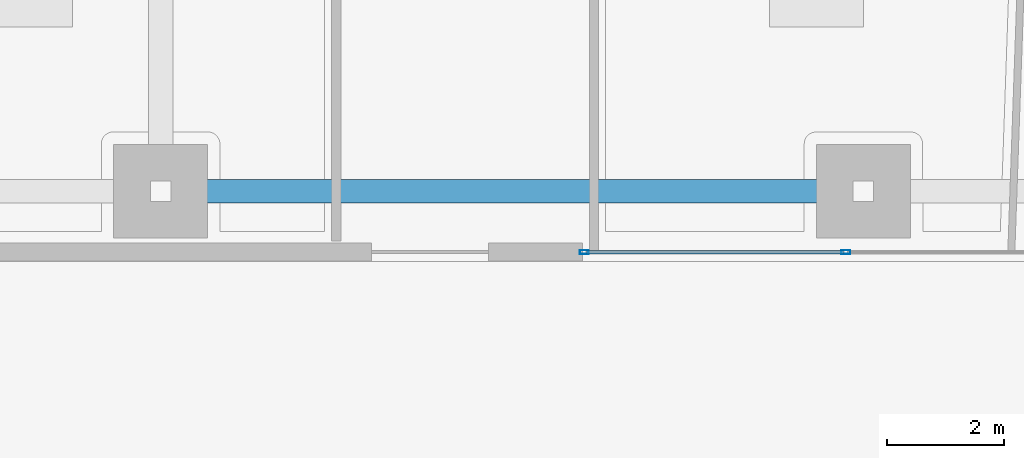
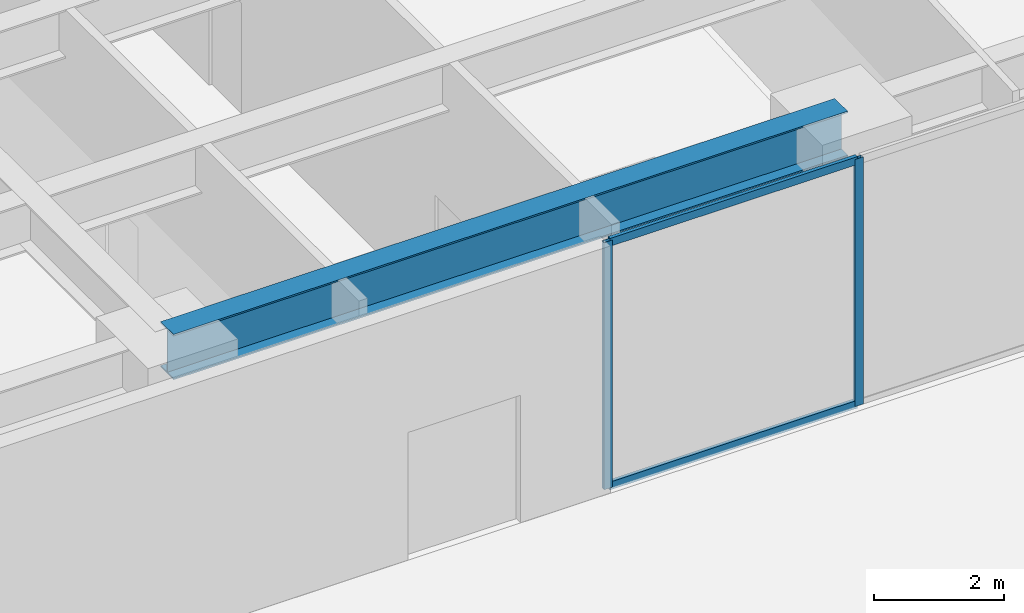
# One storey, part 2 of 28: 4 members, 1 beam, 1 element without a shape of its own.
"""IFC4 building model written with IfcOpenShell, lengths in metres."""

from ifc_helpers import new_model, si_unit, direction, frame, origin, origin_2d, place, context, subcontext, project, spatial, hollow_rectangle, i_section, extrude, source, transform, mapped, material, layer, layer_set, material_profile, profile_set, type_object, type_shapes, element, aggregate, save


model = new_model("IFC4")

# Units and contexts
model_context = context("Model", 3, precision=1e-05, world=origin(), true_north=direction((0.0, 1.0)))
body_context = subcontext(model_context, "Body", "Model", "MODEL_VIEW")
ifc_project = project(units=[si_unit("LENGTHUNIT", "METRE"), si_unit("AREAUNIT", "SQUARE_METRE"), si_unit("VOLUMEUNIT", "CUBIC_METRE"), si_unit("PLANEANGLEUNIT", "RADIAN"), si_unit("MASSUNIT", "GRAM", prefix="KILO")], contexts=[model_context])

# Site, building, storey
site_placement = place(None, origin())
site = spatial("IfcSite", under=ifc_project, at=site_placement, CompositionType="ELEMENT")
building_placement = place(site_placement, origin())
building = spatial("IfcBuilding", under=site, at=building_placement, Name="Talar Marvaseh", CompositionType="ELEMENT")
storey_placement = place(building_placement, origin())
storey = spatial("IfcBuildingStorey", under=building, at=storey_placement, Name="L00", CompositionType="ELEMENT", Elevation=0.0)

# Beam
ifc_material_1 = material(Name="Steel S355", Category="steel")
ifc_material_profile_1 = material_profile(ifc_material_1, i_section(OverallWidth=0.39990234375, OverallDepth=0.85498046875, WebThickness=0.018310546875, FlangeThickness=0.029296875, at=origin_2d()), Name="W840x299")
ifc_profile_set_1 = profile_set([ifc_material_profile_1], Name="Steel S355")
beam_type = type_object("IfcBeamType", Name="Concourse Primary Girder W840x299", PredefinedType="BEAM", material=ifc_profile_set_1)
beam_placement = place(storey_placement, frame((10.800048828125, 9.199951171875, 4.472412109375), z_axis=(1.0, 0.0, 0.0), x_axis=(0.0, 1.0, 0.0)))
element("IfcBeam", 1, at=beam_placement, inside=storey, type_object=beam_type, Name="L00 Concourse Primary Girder W840x299", PredefinedType="BEAM", context=body_context, shape_type="SweptSolid", body=[
    extrude(i_section(OverallWidth=0.39990234375, OverallDepth=0.85498046875, WebThickness=0.018310546875, FlangeThickness=0.029296875, at=origin_2d()), origin(), (0.0, 0.0, 1.0), 12.0),
])

# Curtain wall, members
ifc_material_2 = material(Name="Architectural Aluminium", Category="aluminium")
ifc_layer = layer(ifc_material_2, 0.25)
ifc_layer_set = layer_set([ifc_layer], Name="Architectural Aluminium")
curtain_wall_type = type_object("IfcCurtainWallType", Name="Station Podium Monumental Iwan Curtain Wall", PredefinedType="NOTDEFINED", material=ifc_layer_set)
curtain_wall_placement = place(storey_placement, origin())
curtain_wall = element("IfcCurtainWall", 2, at=curtain_wall_placement, inside=storey, type_object=curtain_wall_type, Name="L00 Station Podium Monumental Iwan Curtain Wall", PredefinedType="NOTDEFINED")
ifc_material_profile_2 = material_profile(ifc_material_2, hollow_rectangle(XDim=0.06494140625, YDim=0.14990234375, WallThickness=0.00390625, at=origin_2d()), Name="RHS150x65x4")
ifc_profile_set_2 = profile_set([ifc_material_profile_2], Name="Architectural Aluminium")
member_type_1 = type_object("IfcMemberType", Name="Unitised Curtain Wall Slim Mullion RHS150x65x4", PredefinedType="MULLION", material=ifc_profile_set_2)
shared_shape_1 = source(origin(), body_context, "Body", "SweptSolid", [
    extrude(hollow_rectangle(XDim=0.06494140625, YDim=0.14990234375, WallThickness=0.00390625, at=origin_2d()), origin(), (0.0, 0.0, 1.0), 4.64990234375),
])
type_shapes(member_type_1, [shared_shape_1])
member_1_placement = place(storey_placement, frame((22.5, 8.159912109375, 0.0), z_axis=(0.0, 0.0, 1.0), x_axis=(0.0, -1.0, 0.0)))
member_1 = element("IfcMember", 3, at=member_1_placement, type_object=member_type_1, Name="CW-POD mullion 4", PredefinedType="MULLION", context=body_context, shape_type="MappedRepresentation", body=[
    mapped(shared_shape_1, transform((0.0, 0.0, 0.0), x_axis=(1.0, 0.0, 0.0), y_axis=(0.0, 1.0, 0.0), z_axis=(0.0, 0.0, 1.0), scale=1.0)),
])
member_2_placement = place(storey_placement, frame((18.032470703125, 8.159912109375, 0.0), z_axis=(0.0, 0.0, 1.0), x_axis=(0.0, -1.0, 0.0)))
member_2 = element("IfcMember", 4, at=member_2_placement, type_object=member_type_1, Name="CW-POD mullion 5", PredefinedType="MULLION", context=body_context, shape_type="MappedRepresentation", body=[
    mapped(shared_shape_1, transform((0.0, 0.0, 0.0), x_axis=(1.0, 0.0, 0.0), y_axis=(0.0, 1.0, 0.0), z_axis=(0.0, 0.0, 1.0), scale=1.0)),
])
ifc_material_profile_3 = material_profile(ifc_material_2, hollow_rectangle(XDim=0.06494140625, YDim=0.14990234375, WallThickness=0.00390625, at=origin_2d()), Name="RHS150x65x4")
ifc_profile_set_3 = profile_set([ifc_material_profile_3], Name="Architectural Aluminium")
member_type_2 = type_object("IfcMemberType", Name="Unitised Curtain Wall Slim Transom RHS150x65x4", PredefinedType="USERDEFINED", material=ifc_profile_set_3)
shared_shape_2 = source(origin(), body_context, "Body", "SweptSolid", [
    extrude(hollow_rectangle(XDim=0.06494140625, YDim=0.14990234375, WallThickness=0.00390625, at=origin_2d()), origin(), (0.0, 0.0, 1.0), 4.402587890625),
])
type_shapes(member_type_2, [shared_shape_2])
member_3_placement = place(storey_placement, frame((22.467529296875, 8.159912109375, 0.032470703125), z_axis=(-1.0, 0.0, 0.0), x_axis=(0.0, -1.0, 0.0)))
member_3 = element("IfcMember", 5, at=member_3_placement, type_object=member_type_2, Name="CW-POD transom 4.1", ObjectType="TRANSOM", PredefinedType="USERDEFINED", context=body_context, shape_type="MappedRepresentation", body=[
    mapped(shared_shape_2, transform((0.0, 0.0, 0.0), x_axis=(1.0, 0.0, 0.0), y_axis=(0.0, 1.0, 0.0), z_axis=(0.0, 0.0, 1.0), scale=1.0)),
])
member_4_placement = place(storey_placement, frame((22.467529296875, 8.159912109375, 4.617431640625), z_axis=(-1.0, 0.0, 0.0), x_axis=(0.0, -1.0, 0.0)))
member_4 = element("IfcMember", 6, at=member_4_placement, type_object=member_type_2, Name="CW-POD transom 4.2", ObjectType="TRANSOM", PredefinedType="USERDEFINED", context=body_context, shape_type="MappedRepresentation", body=[
    mapped(shared_shape_2, transform((0.0, 0.0, 0.0), x_axis=(1.0, 0.0, 0.0), y_axis=(0.0, 1.0, 0.0), z_axis=(0.0, 0.0, 1.0), scale=1.0)),
])
aggregate(curtain_wall, [member_1, member_2, member_3, member_4])

save(model, "model.ifc")
